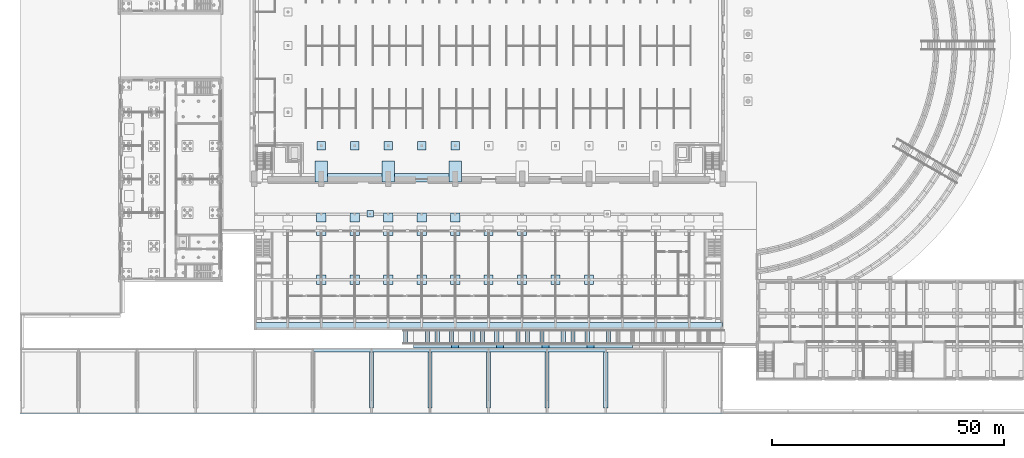
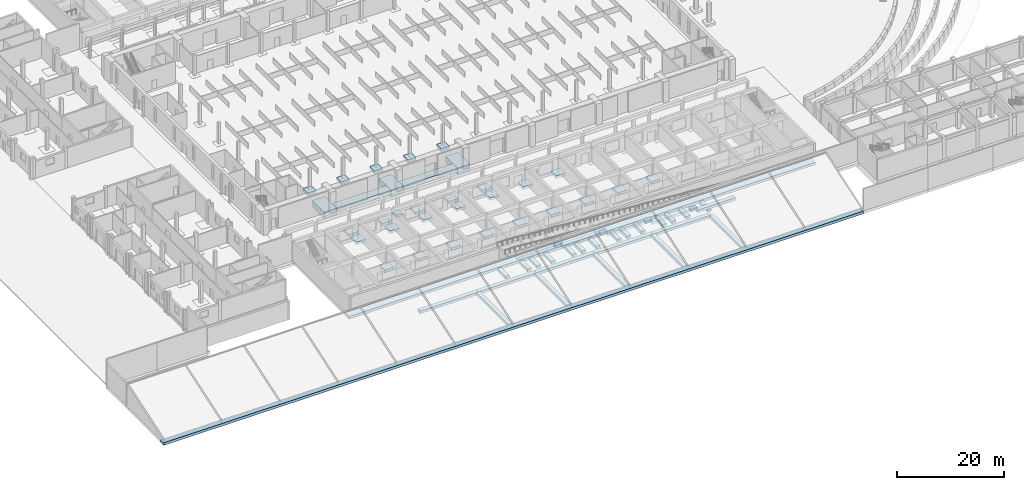
# One storey, part 3 of 73: 67 footings.
"""IFC4 building model written with IfcOpenShell, lengths in metres."""

from ifc_helpers import new_model, si_unit, direction, frame, origin, origin_2d, place, context, subcontext, project, spatial, polyline, rectangle, outline, extrude, material, layer, layer_set, type_object, element, save


model = new_model("IFC4")

# Units and contexts
model_context = context("Model", 3, precision=1e-05, world=origin(), true_north=direction((0.0, 1.0)))
body_context = subcontext(model_context, "Body", "Model", "MODEL_VIEW")
ifc_project = project(units=[si_unit("LENGTHUNIT", "METRE"), si_unit("AREAUNIT", "SQUARE_METRE"), si_unit("VOLUMEUNIT", "CUBIC_METRE"), si_unit("PLANEANGLEUNIT", "RADIAN"), si_unit("MASSUNIT", "GRAM", prefix="KILO")], contexts=[model_context])

# Site, building, storey
site_placement = place(None, origin())
site = spatial("IfcSite", under=ifc_project, at=site_placement, CompositionType="ELEMENT")
building_placement = place(site_placement, origin())
building = spatial("IfcBuilding", under=site, at=building_placement, Name="Alderwick Market Hall", CompositionType="ELEMENT")
storey_placement = place(building_placement, origin())
storey = spatial("IfcBuildingStorey", under=building, at=storey_placement, Name="LG", CompositionType="ELEMENT", Elevation=0.0)

# Footings
ifc_material_1 = material(Name="Concrete 4000 psi (f'c 28 MPa)", Category="concrete")
footing_type_1 = type_object("IfcFootingType", Name="A Pad Footing 2000x2000x600", PredefinedType="PAD_FOOTING", material=ifc_material_1)
footing_1_placement = place(storey_placement, frame((0.0, 0.0, -0.60009765625)))
element("IfcFooting", 1, at=footing_1_placement, inside=storey, type_object=footing_type_1, Name="A.S.pad.F02", PredefinedType="PAD_FOOTING", context=body_context, shape_type="SweptSolid", body=[
    extrude(outline(polyline([(63.800048828125, 38.35009765625), (65.800048828125, 38.35009765625), (65.800048828125, 40.35009765625), (63.800048828125, 40.35009765625), (63.800048828125, 38.35009765625)])), origin(), (0.0, 0.0, 1.0), 0.60009765625),
])
footing_2_placement = place(storey_placement, frame((0.0, 0.0, -0.60009765625)))
element("IfcFooting", 2, at=footing_2_placement, inside=storey, type_object=footing_type_1, Name="A.S.pad.F03", PredefinedType="PAD_FOOTING", context=body_context, shape_type="SweptSolid", body=[
    extrude(outline(polyline([(71.0, 38.35009765625), (73.0, 38.35009765625), (73.0, 40.35009765625), (71.0, 40.35009765625), (71.0, 38.35009765625)])), origin(), (0.0, 0.0, 1.0), 0.60009765625),
])
footing_3_placement = place(storey_placement, frame((0.0, 0.0, -0.60009765625)))
element("IfcFooting", 3, at=footing_3_placement, inside=storey, type_object=footing_type_1, Name="A.S.pad.F04", PredefinedType="PAD_FOOTING", context=body_context, shape_type="SweptSolid", body=[
    extrude(outline(polyline([(78.199951171875, 38.35009765625), (80.199951171875, 38.35009765625), (80.199951171875, 40.35009765625), (78.199951171875, 40.35009765625), (78.199951171875, 38.35009765625)])), origin(), (0.0, 0.0, 1.0), 0.60009765625),
])
footing_4_placement = place(storey_placement, frame((0.0, 0.0, -0.60009765625)))
element("IfcFooting", 4, at=footing_4_placement, inside=storey, type_object=footing_type_1, Name="A.S.pad.F05", PredefinedType="PAD_FOOTING", context=body_context, shape_type="SweptSolid", body=[
    extrude(outline(polyline([(85.39990234375, 38.35009765625), (87.39990234375, 38.35009765625), (87.39990234375, 40.35009765625), (85.39990234375, 40.35009765625), (85.39990234375, 38.35009765625)])), origin(), (0.0, 0.0, 1.0), 0.60009765625),
])
footing_5_placement = place(storey_placement, frame((0.0, 0.0, -0.60009765625)))
element("IfcFooting", 5, at=footing_5_placement, inside=storey, type_object=footing_type_1, Name="A.S.pad.F06", PredefinedType="PAD_FOOTING", context=body_context, shape_type="SweptSolid", body=[
    extrude(outline(polyline([(92.60009765625, 38.35009765625), (94.60009765625, 38.35009765625), (94.60009765625, 40.35009765625), (92.60009765625, 40.35009765625), (92.60009765625, 38.35009765625)])), origin(), (0.0, 0.0, 1.0), 0.60009765625),
])
footing_6_placement = place(storey_placement, frame((0.0, 0.0, -0.60009765625)))
element("IfcFooting", 6, at=footing_6_placement, inside=storey, type_object=footing_type_1, Name="A.S.pad.F07", PredefinedType="PAD_FOOTING", context=body_context, shape_type="SweptSolid", body=[
    extrude(outline(polyline([(99.800048828125, 38.35009765625), (101.800048828125, 38.35009765625), (101.800048828125, 40.35009765625), (99.800048828125, 40.35009765625), (99.800048828125, 38.35009765625)])), origin(), (0.0, 0.0, 1.0), 0.60009765625),
])
footing_7_placement = place(storey_placement, frame((0.0, 0.0, -0.60009765625)))
element("IfcFooting", 7, at=footing_7_placement, inside=storey, type_object=footing_type_1, Name="A.S.pad.F08", PredefinedType="PAD_FOOTING", context=body_context, shape_type="SweptSolid", body=[
    extrude(outline(polyline([(107.0, 38.35009765625), (109.0, 38.35009765625), (109.0, 40.35009765625), (107.0, 40.35009765625), (107.0, 38.35009765625)])), origin(), (0.0, 0.0, 1.0), 0.60009765625),
])
footing_8_placement = place(storey_placement, frame((0.0, 0.0, -0.60009765625)))
element("IfcFooting", 8, at=footing_8_placement, inside=storey, type_object=footing_type_1, Name="A.S.pad.M01", PredefinedType="PAD_FOOTING", context=body_context, shape_type="SweptSolid", body=[
    extrude(outline(polyline([(63.800048828125, 27.800048828125), (65.800048828125, 27.800048828125), (65.800048828125, 29.800048828125), (63.800048828125, 29.800048828125), (63.800048828125, 27.800048828125)])), origin(), (0.0, 0.0, 1.0), 0.60009765625),
])
footing_9_placement = place(storey_placement, frame((0.0, 0.0, -0.60009765625)))
element("IfcFooting", 9, at=footing_9_placement, inside=storey, type_object=footing_type_1, Name="A.S.pad.M02", PredefinedType="PAD_FOOTING", context=body_context, shape_type="SweptSolid", body=[
    extrude(outline(polyline([(71.0, 27.800048828125), (73.0, 27.800048828125), (73.0, 29.800048828125), (71.0, 29.800048828125), (71.0, 27.800048828125)])), origin(), (0.0, 0.0, 1.0), 0.60009765625),
])
footing_10_placement = place(storey_placement, frame((0.0, 0.0, -0.60009765625)))
element("IfcFooting", 10, at=footing_10_placement, inside=storey, type_object=footing_type_1, Name="A.S.pad.M03", PredefinedType="PAD_FOOTING", context=body_context, shape_type="SweptSolid", body=[
    extrude(outline(polyline([(78.199951171875, 27.800048828125), (80.199951171875, 27.800048828125), (80.199951171875, 29.800048828125), (78.199951171875, 29.800048828125), (78.199951171875, 27.800048828125)])), origin(), (0.0, 0.0, 1.0), 0.60009765625),
])
footing_11_placement = place(storey_placement, frame((0.0, 0.0, -0.60009765625)))
element("IfcFooting", 11, at=footing_11_placement, inside=storey, type_object=footing_type_1, Name="A.S.pad.M04", PredefinedType="PAD_FOOTING", context=body_context, shape_type="SweptSolid", body=[
    extrude(outline(polyline([(85.39990234375, 27.800048828125), (87.39990234375, 27.800048828125), (87.39990234375, 29.800048828125), (85.39990234375, 29.800048828125), (85.39990234375, 27.800048828125)])), origin(), (0.0, 0.0, 1.0), 0.60009765625),
])
footing_12_placement = place(storey_placement, frame((0.0, 0.0, -0.60009765625)))
element("IfcFooting", 12, at=footing_12_placement, inside=storey, type_object=footing_type_1, Name="A.S.pad.M05", PredefinedType="PAD_FOOTING", context=body_context, shape_type="SweptSolid", body=[
    extrude(outline(polyline([(92.60009765625, 27.800048828125), (94.60009765625, 27.800048828125), (94.60009765625, 29.800048828125), (92.60009765625, 29.800048828125), (92.60009765625, 27.800048828125)])), origin(), (0.0, 0.0, 1.0), 0.60009765625),
])
footing_13_placement = place(storey_placement, frame((0.0, 0.0, -0.60009765625)))
element("IfcFooting", 13, at=footing_13_placement, inside=storey, type_object=footing_type_1, Name="A.S.pad.M06", PredefinedType="PAD_FOOTING", context=body_context, shape_type="SweptSolid", body=[
    extrude(outline(polyline([(99.800048828125, 27.800048828125), (101.800048828125, 27.800048828125), (101.800048828125, 29.800048828125), (99.800048828125, 29.800048828125), (99.800048828125, 27.800048828125)])), origin(), (0.0, 0.0, 1.0), 0.60009765625),
])
footing_14_placement = place(storey_placement, frame((0.0, 0.0, -0.60009765625)))
element("IfcFooting", 14, at=footing_14_placement, inside=storey, type_object=footing_type_1, Name="A.S.pad.M07", PredefinedType="PAD_FOOTING", context=body_context, shape_type="SweptSolid", body=[
    extrude(outline(polyline([(107.0, 27.800048828125), (109.0, 27.800048828125), (109.0, 29.800048828125), (107.0, 29.800048828125), (107.0, 27.800048828125)])), origin(), (0.0, 0.0, 1.0), 0.60009765625),
])
footing_15_placement = place(storey_placement, frame((0.0, 0.0, -0.60009765625)))
element("IfcFooting", 15, at=footing_15_placement, inside=storey, type_object=footing_type_1, Name="A.S.pad.M08", PredefinedType="PAD_FOOTING", context=body_context, shape_type="SweptSolid", body=[
    extrude(outline(polyline([(114.199951171875, 27.800048828125), (116.199951171875, 27.800048828125), (116.199951171875, 29.800048828125), (114.199951171875, 29.800048828125), (114.199951171875, 27.800048828125)])), origin(), (0.0, 0.0, 1.0), 0.60009765625),
])
footing_16_placement = place(storey_placement, frame((0.0, 0.0, -0.60009765625)))
element("IfcFooting", 16, at=footing_16_placement, inside=storey, type_object=footing_type_1, Name="A.S.pad.M09", PredefinedType="PAD_FOOTING", context=body_context, shape_type="SweptSolid", body=[
    extrude(outline(polyline([(121.39990234375, 27.800048828125), (123.39990234375, 27.800048828125), (123.39990234375, 29.800048828125), (121.39990234375, 29.800048828125), (121.39990234375, 27.800048828125)])), origin(), (0.0, 0.0, 1.0), 0.60009765625),
])
footing_17_placement = place(storey_placement, frame((0.0, 0.0, -0.60009765625)))
element("IfcFooting", 17, at=footing_17_placement, inside=storey, type_object=footing_type_1, Name="A.S.pad.C02", PredefinedType="PAD_FOOTING", context=body_context, shape_type="SweptSolid", body=[
    extrude(outline(polyline([(63.800048828125, 41.199951171875), (65.800048828125, 41.199951171875), (65.800048828125, 43.199951171875), (63.800048828125, 43.199951171875), (63.800048828125, 41.199951171875)])), origin(), (0.0, 0.0, 1.0), 0.60009765625),
])
footing_18_placement = place(storey_placement, frame((0.0, 0.0, -0.60009765625)))
element("IfcFooting", 18, at=footing_18_placement, inside=storey, type_object=footing_type_1, Name="A.S.pad.C03", PredefinedType="PAD_FOOTING", context=body_context, shape_type="SweptSolid", body=[
    extrude(outline(polyline([(71.0, 41.199951171875), (73.0, 41.199951171875), (73.0, 43.199951171875), (71.0, 43.199951171875), (71.0, 41.199951171875)])), origin(), (0.0, 0.0, 1.0), 0.60009765625),
])
footing_19_placement = place(storey_placement, frame((0.0, 0.0, -0.60009765625)))
element("IfcFooting", 19, at=footing_19_placement, inside=storey, type_object=footing_type_1, Name="A.S.pad.C04", PredefinedType="PAD_FOOTING", context=body_context, shape_type="SweptSolid", body=[
    extrude(outline(polyline([(78.199951171875, 41.199951171875), (80.199951171875, 41.199951171875), (80.199951171875, 43.199951171875), (78.199951171875, 43.199951171875), (78.199951171875, 41.199951171875)])), origin(), (0.0, 0.0, 1.0), 0.60009765625),
])
footing_20_placement = place(storey_placement, frame((0.0, 0.0, -0.60009765625)))
element("IfcFooting", 20, at=footing_20_placement, inside=storey, type_object=footing_type_1, Name="A.S.pad.C05", PredefinedType="PAD_FOOTING", context=body_context, shape_type="SweptSolid", body=[
    extrude(outline(polyline([(85.39990234375, 41.199951171875), (87.39990234375, 41.199951171875), (87.39990234375, 43.199951171875), (85.39990234375, 43.199951171875), (85.39990234375, 41.199951171875)])), origin(), (0.0, 0.0, 1.0), 0.60009765625),
])
footing_21_placement = place(storey_placement, frame((0.0, 0.0, -0.60009765625)))
element("IfcFooting", 21, at=footing_21_placement, inside=storey, type_object=footing_type_1, Name="A.S.pad.C06", PredefinedType="PAD_FOOTING", context=body_context, shape_type="SweptSolid", body=[
    extrude(outline(polyline([(92.60009765625, 41.199951171875), (94.60009765625, 41.199951171875), (94.60009765625, 43.199951171875), (92.60009765625, 43.199951171875), (92.60009765625, 41.199951171875)])), origin(), (0.0, 0.0, 1.0), 0.60009765625),
])
footing_type_2 = type_object("IfcFootingType", Name="A Strip Footing 1600x600", PredefinedType="STRIP_FOOTING", material=ifc_material_1)
footing_22_placement = place(storey_placement, frame((0.0, 0.0, -0.60009765625)))
element("IfcFooting", 22, at=footing_22_placement, inside=storey, type_object=footing_type_2, Name="A.S.strip.rear", PredefinedType="STRIP_FOOTING", context=body_context, shape_type="SweptSolid", body=[
    extrude(outline(polyline([(50.39990234375, 18.0), (151.199951171875, 18.0), (151.199951171875, 19.60009765625), (50.39990234375, 19.60009765625), (50.39990234375, 18.0)])), origin(), (0.0, 0.0, 1.0), 0.60009765625),
])
footing_type_3 = type_object("IfcFootingType", Name="H Pad footing 1800x1800x600", PredefinedType="PAD_FOOTING", material=ifc_material_1)
footing_23_placement = place(storey_placement, frame((0.0, 0.0, -0.60009765625)))
element("IfcFooting", 23, at=footing_23_placement, inside=storey, type_object=footing_type_3, Name="Pad footing", PredefinedType="PAD_FOOTING", context=body_context, shape_type="SweptSolid", body=[
    extrude(outline(polyline([(63.89990234375, 56.739990234375), (63.89990234375, 58.5400390625), (65.699951171875, 58.5400390625), (65.699951171875, 56.739990234375), (63.89990234375, 56.739990234375)])), origin(), (0.0, 0.0, 1.0), 0.60009765625),
])
footing_24_placement = place(storey_placement, frame((0.0, 0.0, -0.60009765625)))
element("IfcFooting", 24, at=footing_24_placement, inside=storey, type_object=footing_type_3, Name="Pad footing", PredefinedType="PAD_FOOTING", context=body_context, shape_type="SweptSolid", body=[
    extrude(outline(polyline([(71.10009765625, 56.739990234375), (71.10009765625, 58.5400390625), (72.89990234375, 58.5400390625), (72.89990234375, 56.739990234375), (71.10009765625, 56.739990234375)])), origin(), (0.0, 0.0, 1.0), 0.60009765625),
])
footing_25_placement = place(storey_placement, frame((0.0, 0.0, -0.60009765625)))
element("IfcFooting", 25, at=footing_25_placement, inside=storey, type_object=footing_type_3, Name="Pad footing", PredefinedType="PAD_FOOTING", context=body_context, shape_type="SweptSolid", body=[
    extrude(outline(polyline([(78.300048828125, 56.739990234375), (78.300048828125, 58.5400390625), (80.10009765625, 58.5400390625), (80.10009765625, 56.739990234375), (78.300048828125, 56.739990234375)])), origin(), (0.0, 0.0, 1.0), 0.60009765625),
])
footing_26_placement = place(storey_placement, frame((0.0, 0.0, -0.60009765625)))
element("IfcFooting", 26, at=footing_26_placement, inside=storey, type_object=footing_type_3, Name="Pad footing", PredefinedType="PAD_FOOTING", context=body_context, shape_type="SweptSolid", body=[
    extrude(outline(polyline([(85.5, 56.739990234375), (85.5, 58.5400390625), (87.300048828125, 58.5400390625), (87.300048828125, 56.739990234375), (85.5, 56.739990234375)])), origin(), (0.0, 0.0, 1.0), 0.60009765625),
])
footing_27_placement = place(storey_placement, frame((0.0, 0.0, -0.60009765625)))
element("IfcFooting", 27, at=footing_27_placement, inside=storey, type_object=footing_type_3, Name="Pad footing", PredefinedType="PAD_FOOTING", context=body_context, shape_type="SweptSolid", body=[
    extrude(outline(polyline([(92.699951171875, 56.739990234375), (92.699951171875, 58.5400390625), (94.5, 58.5400390625), (94.5, 56.739990234375), (92.699951171875, 56.739990234375)])), origin(), (0.0, 0.0, 1.0), 0.60009765625),
])
footing_type_4 = type_object("IfcFootingType", Name="H Pad footing 2700x4500x1500", PredefinedType="PAD_FOOTING", material=ifc_material_1)
for number, where, z_axis, x_axis, name in (
    (28, (64.800048828125, 52.050048828125, -1.5), (0.0, 0.0, 1.0), (1.0, 0.0, 0.0), "Pier footing S2"),
    (29, (79.199951171875, 52.050048828125, -1.5), (0.0, 0.0, 1.0), (1.0, 0.0, 0.0), "Pier footing S3"),
    (30, (93.60009765625, 52.050048828125, -1.5), (0.0, 0.0, 1.0), (1.0, 0.0, 0.0), "Pier footing S4"),
):
    element("IfcFooting", number, at=place(storey_placement, frame(where, z_axis=z_axis, x_axis=x_axis)), inside=storey, type_object=footing_type_4, Name=name, PredefinedType="PAD_FOOTING", context=body_context, shape_type="SweptSolid", body=[
        extrude(rectangle(XDim=2.699951171875, YDim=4.5, at=origin_2d()), origin(), (0.0, 0.0, 1.0), 1.5),
    ])
footing_type_5 = type_object("IfcFootingType", Name="H Strip footing 900", PredefinedType="STRIP_FOOTING", material=ifc_material_1)
footing_28_placement = place(storey_placement, frame((0.0, 0.0, -0.89990234375)))
element("IfcFooting", 31, at=footing_28_placement, inside=storey, type_object=footing_type_5, Name="Strip footing", PredefinedType="STRIP_FOOTING", context=body_context, shape_type="SweptSolid", body=[
    extrude(outline(polyline([(77.85009765625, 51.60009765625), (77.85009765625, 49.800048828125), (66.14990234375, 49.800048828125), (66.14990234375, 51.60009765625), (77.85009765625, 51.60009765625)])), origin(), (0.0, 0.0, 1.0), 0.89990234375),
])
footing_29_placement = place(storey_placement, frame((0.0, 0.0, -0.89990234375)))
element("IfcFooting", 32, at=footing_29_placement, inside=storey, type_object=footing_type_5, Name="Strip footing", PredefinedType="STRIP_FOOTING", context=body_context, shape_type="SweptSolid", body=[
    extrude(outline(polyline([(92.25, 51.60009765625), (92.25, 49.800048828125), (80.550048828125, 49.800048828125), (80.550048828125, 51.60009765625), (92.25, 51.60009765625)])), origin(), (0.0, 0.0, 1.0), 0.89990234375),
])
ifc_material_2 = material(Name="Concrete 5000 psi (f'c 35 MPa)", Category="concrete")
ifc_layer = layer(ifc_material_2, 0.60009765625)
ifc_layer_set = layer_set([ifc_layer], Name="Concrete 5000 psi (f'c 35 MPa)")
footing_type_6 = type_object("IfcFootingType", Name="P Pad Footing 1400x1400x600", PredefinedType="PAD_FOOTING", material=ifc_layer_set)
footing_30_placement = place(storey_placement, frame((0.0, 0.0, -0.60009765625)))
element("IfcFooting", 33, at=footing_30_placement, inside=storey, type_object=footing_type_6, Name="P.P3.pier.b.pad", PredefinedType="PAD_FOOTING", context=body_context, shape_type="SweptSolid", body=[
    extrude(outline(polyline([(74.60009765625, 42.25), (76.0, 42.25), (76.0, 43.64990234375), (74.60009765625, 43.64990234375), (74.60009765625, 42.25)])), origin(), (0.0, 0.0, 1.0), 0.60009765625),
])
footing_type_7 = type_object("IfcFootingType", Name="S Strip Footing 900", PredefinedType="STRIP_FOOTING", material=ifc_material_1)
footing_31_placement = place(storey_placement, frame((0.0, 0.0, 0.521484375)))
element("IfcFooting", 34, at=footing_31_placement, inside=storey, type_object=footing_type_7, Name="S.tfoot.S.06", PredefinedType="STRIP_FOOTING", context=body_context, shape_type="SweptSolid", body=[
    extrude(outline(polyline([(131.742919921875, 14.10009765625), (131.742919921875, 15.0), (123.513916015625, 15.0), (123.513916015625, 14.10009765625), (131.742919921875, 14.10009765625)])), origin(), (0.0, 0.0, 1.0), 0.599853515625),
])
footing_32_placement = place(storey_placement, frame((0.0, 0.0, 1.20703125)))
element("IfcFooting", 35, at=footing_32_placement, inside=storey, type_object=footing_type_7, Name="S.tfoot.S.07", PredefinedType="STRIP_FOOTING", context=body_context, shape_type="SweptSolid", body=[
    extrude(outline(polyline([(123.513916015625, 14.10009765625), (123.513916015625, 15.0), (122.013916015625, 15.0), (122.013916015625, 14.10009765625), (123.513916015625, 14.10009765625)])), origin(), (0.0, 0.0, 1.0), 0.60009765625),
])
footing_33_placement = place(storey_placement, frame((0.0, 0.0, 1.20703125)))
element("IfcFooting", 36, at=footing_33_placement, inside=storey, type_object=footing_type_7, Name="S.tfoot.S.08", PredefinedType="STRIP_FOOTING", context=body_context, shape_type="SweptSolid", body=[
    extrude(outline(polyline([(122.013916015625, 14.10009765625), (122.013916015625, 15.0), (113.785888671875, 15.0), (113.785888671875, 14.10009765625), (122.013916015625, 14.10009765625)])), origin(), (0.0, 0.0, 1.0), 0.60009765625),
])
footing_34_placement = place(storey_placement, frame((0.0, 0.0, 1.892822265625)))
element("IfcFooting", 37, at=footing_34_placement, inside=storey, type_object=footing_type_7, Name="S.tfoot.S.09", PredefinedType="STRIP_FOOTING", context=body_context, shape_type="SweptSolid", body=[
    extrude(outline(polyline([(113.785888671875, 14.10009765625), (113.785888671875, 15.0), (112.285888671875, 15.0), (112.285888671875, 14.10009765625), (113.785888671875, 14.10009765625)])), origin(), (0.0, 0.0, 1.0), 0.60009765625),
])
footing_35_placement = place(storey_placement, frame((0.0, 0.0, 1.892822265625)))
element("IfcFooting", 38, at=footing_35_placement, inside=storey, type_object=footing_type_7, Name="S.tfoot.S.10", PredefinedType="STRIP_FOOTING", context=body_context, shape_type="SweptSolid", body=[
    extrude(outline(polyline([(112.285888671875, 14.10009765625), (112.285888671875, 15.0), (104.056884765625, 15.0), (104.056884765625, 14.10009765625), (112.285888671875, 14.10009765625)])), origin(), (0.0, 0.0, 1.0), 0.60009765625),
])
footing_36_placement = place(storey_placement, frame((0.0, 0.0, 2.57861328125)))
element("IfcFooting", 39, at=footing_36_placement, inside=storey, type_object=footing_type_7, Name="S.tfoot.S.11", PredefinedType="STRIP_FOOTING", context=body_context, shape_type="SweptSolid", body=[
    extrude(outline(polyline([(104.056884765625, 14.10009765625), (104.056884765625, 15.0), (102.556884765625, 15.0), (102.556884765625, 14.10009765625), (104.056884765625, 14.10009765625)])), origin(), (0.0, 0.0, 1.0), 0.60009765625),
])
footing_37_placement = place(storey_placement, frame((0.0, 0.0, 2.57861328125)))
element("IfcFooting", 40, at=footing_37_placement, inside=storey, type_object=footing_type_7, Name="S.tfoot.S.12", PredefinedType="STRIP_FOOTING", context=body_context, shape_type="SweptSolid", body=[
    extrude(outline(polyline([(102.556884765625, 14.10009765625), (102.556884765625, 15.0), (94.3291015625, 15.0), (94.3291015625, 14.10009765625), (102.556884765625, 14.10009765625)])), origin(), (0.0, 0.0, 1.0), 0.60009765625),
])
footing_38_placement = place(storey_placement, frame((0.0, 0.0, 3.264404296875)))
element("IfcFooting", 41, at=footing_38_placement, inside=storey, type_object=footing_type_7, Name="S.tfoot.S.13", PredefinedType="STRIP_FOOTING", context=body_context, shape_type="SweptSolid", body=[
    extrude(outline(polyline([(94.3291015625, 14.10009765625), (94.3291015625, 15.0), (92.8291015625, 15.0), (92.8291015625, 14.10009765625), (94.3291015625, 14.10009765625)])), origin(), (0.0, 0.0, 1.0), 0.599853515625),
])
footing_39_placement = place(storey_placement, frame((0.0, 0.0, 3.264404296875)))
element("IfcFooting", 42, at=footing_39_placement, inside=storey, type_object=footing_type_7, Name="S.tfoot.S.14", PredefinedType="STRIP_FOOTING", context=body_context, shape_type="SweptSolid", body=[
    extrude(outline(polyline([(92.8291015625, 14.10009765625), (92.8291015625, 15.0), (84.60009765625, 15.0), (84.60009765625, 14.10009765625), (92.8291015625, 14.10009765625)])), origin(), (0.0, 0.0, 1.0), 0.599853515625),
])
footing_40_placement = place(storey_placement, frame((0.0, 0.0, -0.85009765625)))
element("IfcFooting", 43, at=footing_40_placement, inside=storey, type_object=footing_type_7, Name="Ramp support footing S3d", PredefinedType="STRIP_FOOTING", context=body_context, shape_type="SweptSolid", body=[
    extrude(outline(polyline([(127.0498046875, 15.0), (127.0498046875, 18.0), (126.14990234375, 18.0), (126.14990234375, 15.0), (127.0498046875, 15.0)])), origin(), (0.0, 0.0, 1.0), 0.60009765625),
])
footing_41_placement = place(storey_placement, frame((0.0, 0.0, -0.85009765625)))
element("IfcFooting", 44, at=footing_41_placement, inside=storey, type_object=footing_type_7, Name="Ramp support footing S3c", PredefinedType="STRIP_FOOTING", context=body_context, shape_type="SweptSolid", body=[
    extrude(outline(polyline([(122.464111328125, 15.0), (122.464111328125, 18.0), (121.56396484375, 18.0), (121.56396484375, 15.0), (122.464111328125, 15.0)])), origin(), (0.0, 0.0, 1.0), 0.60009765625),
])
footing_42_placement = place(storey_placement, frame((0.0, 0.0, -0.85009765625)))
element("IfcFooting", 45, at=footing_42_placement, inside=storey, type_object=footing_type_7, Name="Ramp support footing S4b", PredefinedType="STRIP_FOOTING", context=body_context, shape_type="SweptSolid", body=[
    extrude(outline(polyline([(119.37841796875, 15.0), (119.37841796875, 18.0), (118.478515625, 18.0), (118.478515625, 15.0), (119.37841796875, 15.0)])), origin(), (0.0, 0.0, 1.0), 0.60009765625),
])
footing_43_placement = place(storey_placement, frame((0.0, 0.0, -0.85009765625)))
element("IfcFooting", 46, at=footing_43_placement, inside=storey, type_object=footing_type_7, Name="Ramp support footing S4d", PredefinedType="STRIP_FOOTING", context=body_context, shape_type="SweptSolid", body=[
    extrude(outline(polyline([(117.321533203125, 15.0), (117.321533203125, 18.0), (116.42138671875, 18.0), (116.42138671875, 15.0), (117.321533203125, 15.0)])), origin(), (0.0, 0.0, 1.0), 0.60009765625),
])
footing_44_placement = place(storey_placement, frame((0.0, 0.0, -0.85009765625)))
element("IfcFooting", 47, at=footing_44_placement, inside=storey, type_object=footing_type_7, Name="Ramp support footing S4c", PredefinedType="STRIP_FOOTING", context=body_context, shape_type="SweptSolid", body=[
    extrude(outline(polyline([(112.736083984375, 15.0), (112.736083984375, 18.0), (111.8359375, 18.0), (111.8359375, 15.0), (112.736083984375, 15.0)])), origin(), (0.0, 0.0, 1.0), 0.60009765625),
])
footing_45_placement = place(storey_placement, frame((0.0, 0.0, -0.85009765625)))
element("IfcFooting", 48, at=footing_45_placement, inside=storey, type_object=footing_type_7, Name="Ramp support footing S5b", PredefinedType="STRIP_FOOTING", context=body_context, shape_type="SweptSolid", body=[
    extrude(outline(polyline([(109.650146484375, 15.0), (109.650146484375, 18.0), (108.75, 18.0), (108.75, 15.0), (109.650146484375, 15.0)])), origin(), (0.0, 0.0, 1.0), 0.60009765625),
])
footing_46_placement = place(storey_placement, frame((0.0, 0.0, -0.85009765625)))
element("IfcFooting", 49, at=footing_46_placement, inside=storey, type_object=footing_type_7, Name="Ramp support footing S5d", PredefinedType="STRIP_FOOTING", context=body_context, shape_type="SweptSolid", body=[
    extrude(outline(polyline([(107.593017578125, 15.0), (107.593017578125, 18.0), (106.69287109375, 18.0), (106.69287109375, 15.0), (107.593017578125, 15.0)])), origin(), (0.0, 0.0, 1.0), 0.60009765625),
])
footing_47_placement = place(storey_placement, frame((0.0, 0.0, -0.85009765625)))
element("IfcFooting", 50, at=footing_47_placement, inside=storey, type_object=footing_type_7, Name="Ramp support footing S5c", PredefinedType="STRIP_FOOTING", context=body_context, shape_type="SweptSolid", body=[
    extrude(outline(polyline([(103.007080078125, 15.0), (103.007080078125, 18.0), (102.10693359375, 18.0), (102.10693359375, 15.0), (103.007080078125, 15.0)])), origin(), (0.0, 0.0, 1.0), 0.60009765625),
])
footing_48_placement = place(storey_placement, frame((0.0, 0.0, -0.85009765625)))
element("IfcFooting", 51, at=footing_48_placement, inside=storey, type_object=footing_type_7, Name="Ramp support footing S6b", PredefinedType="STRIP_FOOTING", context=body_context, shape_type="SweptSolid", body=[
    extrude(outline(polyline([(99.92138671875, 15.0), (99.92138671875, 18.0), (99.021484375, 18.0), (99.021484375, 15.0), (99.92138671875, 15.0)])), origin(), (0.0, 0.0, 1.0), 0.60009765625),
])
footing_49_placement = place(storey_placement, frame((0.0, 0.0, -0.85009765625)))
element("IfcFooting", 52, at=footing_49_placement, inside=storey, type_object=footing_type_7, Name="Ramp support footing S6d", PredefinedType="STRIP_FOOTING", context=body_context, shape_type="SweptSolid", body=[
    extrude(outline(polyline([(97.864501953125, 15.0), (97.864501953125, 18.0), (96.964599609375, 18.0), (96.964599609375, 15.0), (97.864501953125, 15.0)])), origin(), (0.0, 0.0, 1.0), 0.60009765625),
])
footing_50_placement = place(storey_placement, frame((0.0, 0.0, -0.85009765625)))
element("IfcFooting", 53, at=footing_50_placement, inside=storey, type_object=footing_type_7, Name="Ramp support footing S6c", PredefinedType="STRIP_FOOTING", context=body_context, shape_type="SweptSolid", body=[
    extrude(outline(polyline([(93.279052734375, 15.0), (93.279052734375, 18.0), (92.37890625, 18.0), (92.37890625, 15.0), (93.279052734375, 15.0)])), origin(), (0.0, 0.0, 1.0), 0.60009765625),
])
footing_51_placement = place(storey_placement, frame((0.0, 0.0, -0.85009765625)))
element("IfcFooting", 54, at=footing_51_placement, inside=storey, type_object=footing_type_7, Name="Ramp support footing S7b", PredefinedType="STRIP_FOOTING", context=body_context, shape_type="SweptSolid", body=[
    extrude(outline(polyline([(90.193115234375, 15.0), (90.193115234375, 18.0), (89.293212890625, 18.0), (89.293212890625, 15.0), (90.193115234375, 15.0)])), origin(), (0.0, 0.0, 1.0), 0.60009765625),
])
footing_52_placement = place(storey_placement, frame((0.0, 0.0, -0.85009765625)))
element("IfcFooting", 55, at=footing_52_placement, inside=storey, type_object=footing_type_7, Name="Ramp support footing S7d", PredefinedType="STRIP_FOOTING", context=body_context, shape_type="SweptSolid", body=[
    extrude(outline(polyline([(88.135986328125, 15.0), (88.135986328125, 18.0), (87.23583984375, 18.0), (87.23583984375, 15.0), (88.135986328125, 15.0)])), origin(), (0.0, 0.0, 1.0), 0.60009765625),
])
footing_53_placement = place(storey_placement, frame((0.0, 0.0, -0.85009765625)))
element("IfcFooting", 56, at=footing_53_placement, inside=storey, type_object=footing_type_7, Name="Ramp support footing S7c", PredefinedType="STRIP_FOOTING", context=body_context, shape_type="SweptSolid", body=[
    extrude(outline(polyline([(83.39990234375, 15.0), (83.39990234375, 18.0), (82.5, 18.0), (82.5, 15.0), (83.39990234375, 15.0)])), origin(), (0.0, 0.0, 1.0), 0.60009765625),
])
footing_54_placement = place(storey_placement, frame((0.0, 0.0, -0.85009765625)))
element("IfcFooting", 57, at=footing_54_placement, inside=storey, type_object=footing_type_7, Name="S.berm.S.cfoot.06", PredefinedType="STRIP_FOOTING", context=body_context, shape_type="SweptSolid", body=[
    extrude(outline(polyline([(75.60009765625, 13.199951171875), (75.60009765625, 14.10009765625), (63.0, 14.10009765625), (63.0, 13.199951171875), (75.60009765625, 13.199951171875)])), origin(), (0.0, 0.0, 1.0), 0.60009765625),
])
footing_55_placement = place(storey_placement, frame((0.0, 0.0, -0.85009765625)))
element("IfcFooting", 58, at=footing_55_placement, inside=storey, type_object=footing_type_7, Name="S.berm.S.cfoot.07", PredefinedType="STRIP_FOOTING", context=body_context, shape_type="SweptSolid", body=[
    extrude(outline(polyline([(88.199951171875, 13.199951171875), (88.199951171875, 14.10009765625), (75.60009765625, 14.10009765625), (75.60009765625, 13.199951171875), (88.199951171875, 13.199951171875)])), origin(), (0.0, 0.0, 1.0), 0.60009765625),
])
footing_56_placement = place(storey_placement, frame((0.0, 0.0, -0.85009765625)))
element("IfcFooting", 59, at=footing_56_placement, inside=storey, type_object=footing_type_7, Name="S.berm.S.cfoot.08", PredefinedType="STRIP_FOOTING", context=body_context, shape_type="SweptSolid", body=[
    extrude(outline(polyline([(100.800048828125, 13.199951171875), (100.800048828125, 14.10009765625), (88.199951171875, 14.10009765625), (88.199951171875, 13.199951171875), (100.800048828125, 13.199951171875)])), origin(), (0.0, 0.0, 1.0), 0.60009765625),
])
footing_57_placement = place(storey_placement, frame((0.0, 0.0, -0.85009765625)))
element("IfcFooting", 60, at=footing_57_placement, inside=storey, type_object=footing_type_7, Name="S.berm.S.cfoot.09", PredefinedType="STRIP_FOOTING", context=body_context, shape_type="SweptSolid", body=[
    extrude(outline(polyline([(113.39990234375, 13.199951171875), (113.39990234375, 14.10009765625), (100.800048828125, 14.10009765625), (100.800048828125, 13.199951171875), (113.39990234375, 13.199951171875)])), origin(), (0.0, 0.0, 1.0), 0.60009765625),
])
footing_58_placement = place(storey_placement, frame((0.0, 0.0, -0.85009765625)))
element("IfcFooting", 61, at=footing_58_placement, inside=storey, type_object=footing_type_7, Name="S.berm.S.cfoot.10", PredefinedType="STRIP_FOOTING", context=body_context, shape_type="SweptSolid", body=[
    extrude(outline(polyline([(126.0, 13.199951171875), (126.0, 14.10009765625), (113.39990234375, 14.10009765625), (113.39990234375, 13.199951171875), (126.0, 13.199951171875)])), origin(), (0.0, 0.0, 1.0), 0.60009765625),
])
footing_59_placement = place(storey_placement, frame((0.0, 0.0, -0.85009765625)))
element("IfcFooting", 62, at=footing_59_placement, inside=storey, type_object=footing_type_7, Name="S.berm.S.xfoot.07", PredefinedType="STRIP_FOOTING", context=body_context, shape_type="SweptSolid", body=[
    extrude(outline(polyline([(76.050048828125, 1.199951171875), (76.050048828125, 13.199951171875), (75.14990234375, 13.199951171875), (75.14990234375, 1.199951171875), (76.050048828125, 1.199951171875)])), origin(), (0.0, 0.0, 1.0), 0.60009765625),
])
footing_60_placement = place(storey_placement, frame((0.0, 0.0, -0.85009765625)))
element("IfcFooting", 63, at=footing_60_placement, inside=storey, type_object=footing_type_7, Name="S.berm.S.xfoot.08", PredefinedType="STRIP_FOOTING", context=body_context, shape_type="SweptSolid", body=[
    extrude(outline(polyline([(88.64990234375, 1.199951171875), (88.64990234375, 13.199951171875), (87.75, 13.199951171875), (87.75, 1.199951171875), (88.64990234375, 1.199951171875)])), origin(), (0.0, 0.0, 1.0), 0.60009765625),
])
footing_61_placement = place(storey_placement, frame((0.0, 0.0, -0.85009765625)))
element("IfcFooting", 64, at=footing_61_placement, inside=storey, type_object=footing_type_7, Name="S.berm.S.xfoot.09", PredefinedType="STRIP_FOOTING", context=body_context, shape_type="SweptSolid", body=[
    extrude(outline(polyline([(101.25, 1.199951171875), (101.25, 13.199951171875), (100.35009765625, 13.199951171875), (100.35009765625, 1.199951171875), (101.25, 1.199951171875)])), origin(), (0.0, 0.0, 1.0), 0.60009765625),
])
footing_62_placement = place(storey_placement, frame((0.0, 0.0, -0.85009765625)))
element("IfcFooting", 65, at=footing_62_placement, inside=storey, type_object=footing_type_7, Name="S.berm.S.xfoot.10", PredefinedType="STRIP_FOOTING", context=body_context, shape_type="SweptSolid", body=[
    extrude(outline(polyline([(113.85009765625, 1.199951171875), (113.85009765625, 13.199951171875), (112.949951171875, 13.199951171875), (112.949951171875, 1.199951171875), (113.85009765625, 1.199951171875)])), origin(), (0.0, 0.0, 1.0), 0.60009765625),
])
footing_63_placement = place(storey_placement, frame((0.0, 0.0, -0.85009765625)))
element("IfcFooting", 66, at=footing_63_placement, inside=storey, type_object=footing_type_7, Name="S.berm.S.xfoot.11", PredefinedType="STRIP_FOOTING", context=body_context, shape_type="SweptSolid", body=[
    extrude(outline(polyline([(126.449951171875, 1.199951171875), (126.449951171875, 13.199951171875), (125.550048828125, 13.199951171875), (125.550048828125, 1.199951171875), (126.449951171875, 1.199951171875)])), origin(), (0.0, 0.0, 1.0), 0.60009765625),
])
footing_64_placement = place(storey_placement, frame((0.0, 0.0, -0.85009765625)))
element("IfcFooting", 67, at=footing_64_placement, inside=storey, type_object=footing_type_7, Name="S.berm.S.bfoot", PredefinedType="STRIP_FOOTING", context=body_context, shape_type="SweptSolid", body=[
    extrude(outline(polyline([(151.199951171875, 0.0), (151.199951171875, 1.199951171875), (0.0, 1.199951171875), (0.0, 0.0), (151.199951171875, 0.0)])), origin(), (0.0, 0.0, 1.0), 0.60009765625),
])

save(model, "model.ifc")
